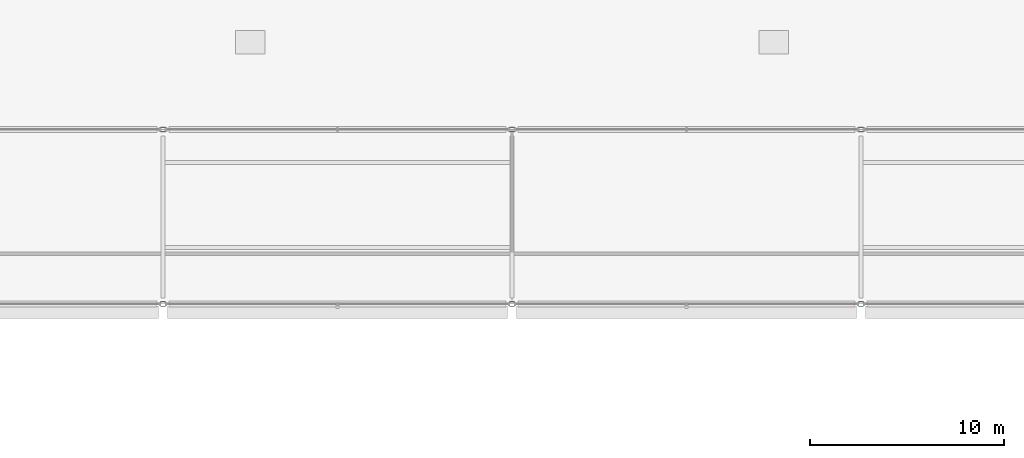
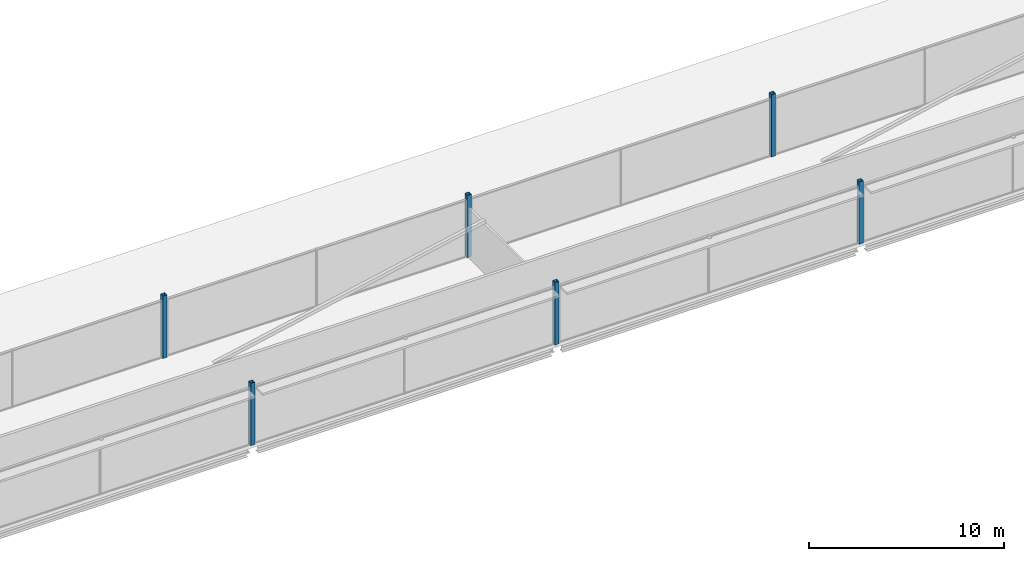
# One storey, part 4 of 105: 6 columns.
"""IFC4 building model written with IfcOpenShell, lengths in metres."""

from ifc_helpers import new_model, si_unit, direction, frame, origin, origin_2d, place, context, subcontext, project, spatial, hollow_rectangle, extrude, material, material_profile, profile_set, type_object, element, save


model = new_model("IFC4")

# Units and contexts
model_context = context("Model", 3, precision=1e-05, world=origin(), true_north=direction((0.0, 1.0)))
body_context = subcontext(model_context, "Body", "Model", "MODEL_VIEW")
ifc_project = project(units=[si_unit("LENGTHUNIT", "METRE"), si_unit("AREAUNIT", "SQUARE_METRE"), si_unit("VOLUMEUNIT", "CUBIC_METRE"), si_unit("PLANEANGLEUNIT", "RADIAN"), si_unit("MASSUNIT", "GRAM", prefix="KILO")], contexts=[model_context])

# Site, building, storey
site_placement = place(None, origin())
site = spatial("IfcSite", under=ifc_project, at=site_placement, CompositionType="ELEMENT")
building_placement = place(site_placement, origin())
building = spatial("IfcBuilding", under=site, at=building_placement, Name="Kisiwana Market Hall", CompositionType="ELEMENT")
storey_placement = place(building_placement, frame((0.0, 0.0, 21.60009765625)))
storey = spatial("IfcBuildingStorey", under=building, at=storey_placement, Name="L04", CompositionType="ELEMENT", Elevation=21.60009765625)

# Columns
ifc_material = material(Name="Steel S355", Category="steel")
ifc_material_profile = material_profile(ifc_material, hollow_rectangle(XDim=0.25, YDim=0.25, WallThickness=0.012451171875, at=origin_2d()), Name="SHS 250x250x12.5")
ifc_profile_set = profile_set([ifc_material_profile], Name="Steel S355")
column_type = type_object("IfcColumnType", Name="COL-STL-SHS250", PredefinedType="COLUMN", material=ifc_profile_set)
for number, where, z_axis, x_axis, name in (
    (1, (81.0, 18.0, 0.0), (0.0, 0.0, 1.0), (1.0, 0.0, 0.0), "Column C/10 (L04) C-0827"),
    (2, (81.0, 27.0, 0.0), (0.0, 0.0, 1.0), (1.0, 0.0, 0.0), "Column D/10 (L04) C-0828"),
    (3, (99.0, 18.0, 0.0), (0.0, 0.0, 1.0), (1.0, 0.0, 0.0), "Column C/12 (L04) C-0831"),
    (4, (99.0, 27.0, 0.0), (0.0, 0.0, 1.0), (1.0, 0.0, 0.0), "Column D/12 (L04) C-0832"),
    (5, (117.0, 18.0, 0.0), (0.0, 0.0, 1.0), (1.0, 0.0, 0.0), "Column C/14 (L04) C-0835"),
    (6, (117.0, 27.0, 0.0), (0.0, 0.0, 1.0), (1.0, 0.0, 0.0), "Column D/14 (L04) C-0836"),
):
    element("IfcColumn", number, at=place(storey_placement, frame(where, z_axis=z_axis, x_axis=x_axis)), inside=storey, type_object=column_type, Name=name, PredefinedType="COLUMN", context=body_context, shape_type="SweptSolid", body=[
        extrude(hollow_rectangle(XDim=0.25, YDim=0.25, WallThickness=0.012451171875, at=origin_2d()), origin(), (0.0, 0.0, 1.0), 3.89990234375),
    ])

save(model, "model.ifc")
